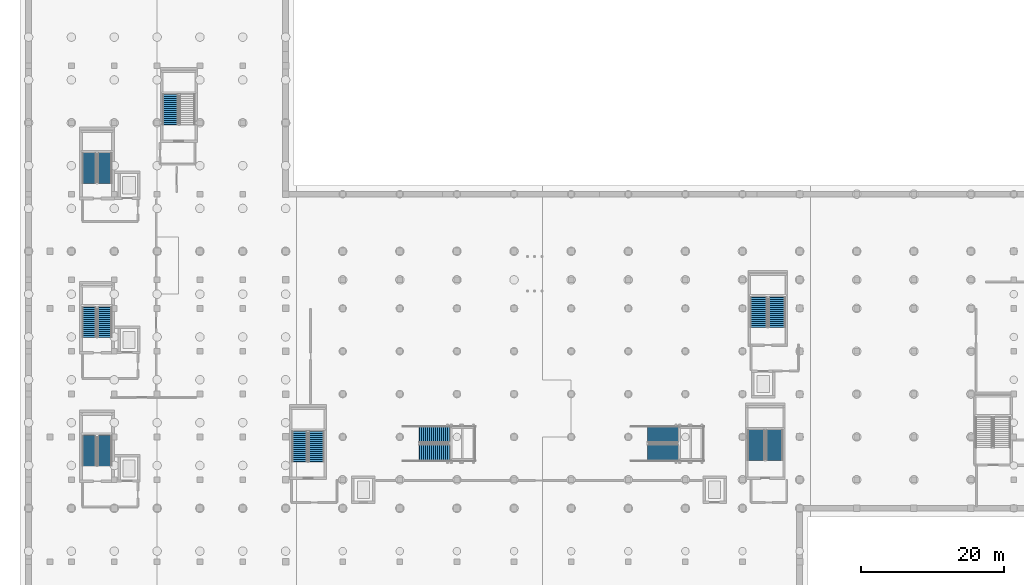
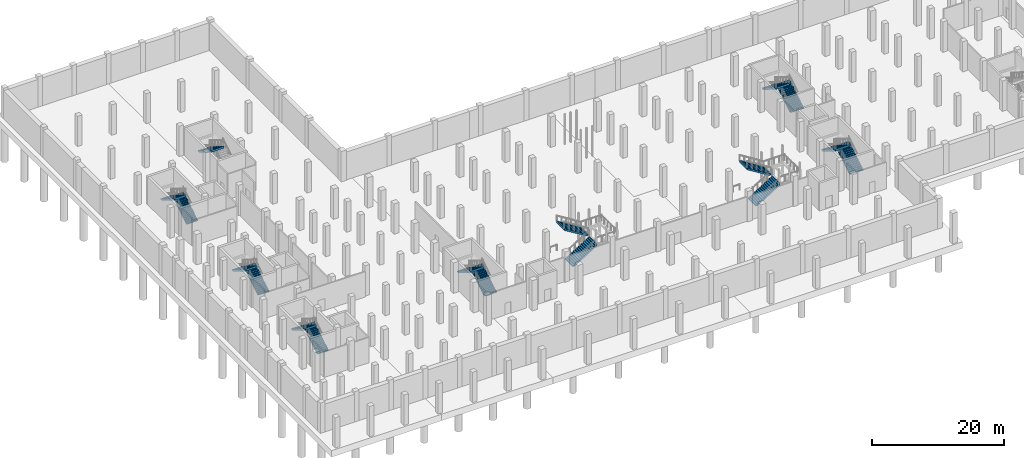
# One storey, part 18 of 26: 17 stair flights, 9 elements without a shape of their own.
"""IFC4 building model written with IfcOpenShell, lengths in metres."""

from ifc_helpers import new_model, si_unit, direction, frame, origin, place, context, subcontext, project, spatial, polyline, outline, extrude, material, type_object, element, aggregate, save


model = new_model("IFC4")

# Units and contexts
model_context = context("Model", 3, precision=1e-05, world=origin(), true_north=direction((0.0, 1.0)))
body_context = subcontext(model_context, "Body", "Model", "MODEL_VIEW")
ifc_project = project(units=[si_unit("LENGTHUNIT", "METRE"), si_unit("AREAUNIT", "SQUARE_METRE"), si_unit("VOLUMEUNIT", "CUBIC_METRE"), si_unit("PLANEANGLEUNIT", "RADIAN"), si_unit("MASSUNIT", "GRAM", prefix="KILO")], contexts=[model_context])

# Site, building, storey
site_placement = place(None, origin())
site = spatial("IfcSite", under=ifc_project, at=site_placement, CompositionType="ELEMENT")
building_placement = place(site_placement, origin())
building = spatial("IfcBuilding", under=site, at=building_placement, Name="Verrall Gate Interchange", CompositionType="ELEMENT")
storey_placement = place(building_placement, frame((0.0, 0.0, -10.39990234375)))
storey = spatial("IfcBuildingStorey", under=building, at=storey_placement, Name="B2", CompositionType="ELEMENT", Elevation=-10.39990234375)

# Stair, stair flights
ifc_material_1 = material(Name="Concrete CSA A23.1 40 MPa (Class N)", Category="concrete")
stair_type_1 = type_object("IfcStairType", Name="ST-T01 Straight-Flight Return Exit Stair W1950 H5600", PredefinedType="STRAIGHT_RUN_STAIR", material=ifc_material_1)
stair_1_placement = place(storey_placement, origin())
stair_1 = element("IfcStair", 1, at=stair_1_placement, inside=storey, type_object=stair_type_1, Name="B2 ST-01", PredefinedType="STRAIGHT_RUN_STAIR")
ifc_material_2 = material(Name="Concrete CSA A23.1 40 MPa (Class N)", Category="concrete")
stair_flight_type_1 = type_object("IfcStairFlightType", Name="SF-T01 Concrete Stair Flight W1950 R175 N32", PredefinedType="STRAIGHT", material=ifc_material_2)
stair_flight_1_placement = place(storey_placement, frame((10.675048828125, 17.949951171875, 0.0), z_axis=(0.0, 0.0, 1.0), x_axis=(0.0, 1.0, 0.0)))
stair_flight_1 = element("IfcStairFlight", 2, at=stair_flight_1_placement, type_object=stair_flight_type_1, Name="ST-01 flight 1", NumberOfRisers=16, NumberOfTreads=15, PredefinedType="STRAIGHT", RiserHeight=0.175, TreadLength=0.28, context=body_context, shape_type="SweptSolid", body=[
    extrude(outline(polyline([(-0.034912109375, -0.02001953125), (-0.034912109375, 0.0), (0.0, 0.0), (0.0, 0.175048828125), (0.280029296875, 0.175048828125), (0.280029296875, 0.35009765625), (0.56005859375, 0.35009765625), (0.56005859375, 0.52490234375), (0.840087890625, 0.52490234375), (0.840087890625, 0.699951171875), (1.1201171875, 0.699951171875), (1.1201171875, 0.875), (1.39990234375, 0.875), (1.39990234375, 1.050048828125), (1.679931640625, 1.050048828125), (1.679931640625, 1.22509765625), (1.9599609375, 1.22509765625), (1.9599609375, 1.39990234375), (2.239990234375, 1.39990234375), (2.239990234375, 1.574951171875), (2.52001953125, 1.574951171875), (2.52001953125, 1.75), (2.800048828125, 1.75), (2.800048828125, 1.925048828125), (3.080078125, 1.925048828125), (3.080078125, 2.10009765625), (3.360107421875, 2.10009765625), (3.360107421875, 2.27490234375), (3.639892578125, 2.27490234375), (3.639892578125, 2.449951171875), (3.919921875, 2.449951171875), (3.919921875, 2.625), (4.199951171875, 2.625), (4.199951171875, 2.800048828125), (4.235107421875, 2.800048828125), (4.235107421875, 2.38916015625), (0.34521484375, -0.02001953125), (-0.034912109375, -0.02001953125)])), frame((0.0, 0.97509765625, 0.0), z_axis=(0.0, -1.0, 0.0), x_axis=(1.0, 0.0, 0.0)), (0.0, 0.0, 1.0), 1.949951171875),
])
stair_flight_2_placement = place(storey_placement, frame((8.52490234375, 22.14990234375, 2.7998046875), z_axis=(0.0, 0.0, 1.0), x_axis=(0.0, -1.0, 0.0)))
stair_flight_2 = element("IfcStairFlight", 3, at=stair_flight_2_placement, type_object=stair_flight_type_1, Name="ST-01 flight 2", NumberOfRisers=16, NumberOfTreads=15, PredefinedType="STRAIGHT", RiserHeight=0.175, TreadLength=0.28, context=body_context, shape_type="SweptSolid", body=[
    extrude(outline(polyline([(-0.034912109375, -0.02001953125), (-0.034912109375, 0.0), (0.0, 0.0), (0.0, 0.175048828125), (0.280029296875, 0.175048828125), (0.280029296875, 0.35009765625), (0.56005859375, 0.35009765625), (0.56005859375, 0.52490234375), (0.840087890625, 0.52490234375), (0.840087890625, 0.699951171875), (1.1201171875, 0.699951171875), (1.1201171875, 0.875), (1.39990234375, 0.875), (1.39990234375, 1.050048828125), (1.679931640625, 1.050048828125), (1.679931640625, 1.22509765625), (1.9599609375, 1.22509765625), (1.9599609375, 1.39990234375), (2.239990234375, 1.39990234375), (2.239990234375, 1.574951171875), (2.52001953125, 1.574951171875), (2.52001953125, 1.75), (2.800048828125, 1.75), (2.800048828125, 1.925048828125), (3.080078125, 1.925048828125), (3.080078125, 2.10009765625), (3.360107421875, 2.10009765625), (3.360107421875, 2.27490234375), (3.639892578125, 2.27490234375), (3.639892578125, 2.449951171875), (3.919921875, 2.449951171875), (3.919921875, 2.625), (4.199951171875, 2.625), (4.199951171875, 2.800048828125), (4.235107421875, 2.800048828125), (4.235107421875, 2.38916015625), (0.34521484375, -0.02001953125), (-0.034912109375, -0.02001953125)])), frame((0.0, 0.97509765625, 0.0), z_axis=(0.0, -1.0, 0.0), x_axis=(1.0, 0.0, 0.0)), (0.0, 0.0, 1.0), 1.949951171875),
])
aggregate(stair_1, [stair_flight_1, stair_flight_2])

stair_2_placement = place(storey_placement, origin())
stair_2 = element("IfcStair", 4, at=stair_2_placement, inside=storey, type_object=stair_type_1, Name="B2 ST-02", PredefinedType="STRAIGHT_RUN_STAIR")
stair_flight_3_placement = place(storey_placement, frame((10.675048828125, 35.949951171875, 0.0), z_axis=(0.0, 0.0, 1.0), x_axis=(0.0, 1.0, 0.0)))
stair_flight_3 = element("IfcStairFlight", 5, at=stair_flight_3_placement, type_object=stair_flight_type_1, Name="ST-02 flight 1", NumberOfRisers=16, NumberOfTreads=15, PredefinedType="STRAIGHT", RiserHeight=0.175, TreadLength=0.28, context=body_context, shape_type="SweptSolid", body=[
    extrude(outline(polyline([(-0.034912109375, -0.02001953125), (-0.034912109375, 0.0), (0.0, 0.0), (0.0, 0.175048828125), (0.280029296875, 0.175048828125), (0.280029296875, 0.35009765625), (0.56005859375, 0.35009765625), (0.56005859375, 0.52490234375), (0.840087890625, 0.52490234375), (0.840087890625, 0.699951171875), (1.1201171875, 0.699951171875), (1.1201171875, 0.875), (1.39990234375, 0.875), (1.39990234375, 1.050048828125), (1.679931640625, 1.050048828125), (1.679931640625, 1.22509765625), (1.9599609375, 1.22509765625), (1.9599609375, 1.39990234375), (2.239990234375, 1.39990234375), (2.239990234375, 1.574951171875), (2.52001953125, 1.574951171875), (2.52001953125, 1.75), (2.800048828125, 1.75), (2.800048828125, 1.925048828125), (3.080078125, 1.925048828125), (3.080078125, 2.10009765625), (3.360107421875, 2.10009765625), (3.360107421875, 2.27490234375), (3.639892578125, 2.27490234375), (3.639892578125, 2.449951171875), (3.919921875, 2.449951171875), (3.919921875, 2.625), (4.199951171875, 2.625), (4.199951171875, 2.800048828125), (4.235107421875, 2.800048828125), (4.235107421875, 2.38916015625), (0.34521484375, -0.02001953125), (-0.034912109375, -0.02001953125)])), frame((0.0, 0.97509765625, 0.0), z_axis=(0.0, -1.0, 0.0), x_axis=(1.0, 0.0, 0.0)), (0.0, 0.0, 1.0), 1.949951171875),
])
stair_flight_4_placement = place(storey_placement, frame((8.52490234375, 40.14990234375, 2.7998046875), z_axis=(0.0, 0.0, 1.0), x_axis=(0.0, -1.0, 0.0)))
stair_flight_4 = element("IfcStairFlight", 6, at=stair_flight_4_placement, type_object=stair_flight_type_1, Name="ST-02 flight 2", NumberOfRisers=16, NumberOfTreads=15, PredefinedType="STRAIGHT", RiserHeight=0.175, TreadLength=0.28, context=body_context, shape_type="SweptSolid", body=[
    extrude(outline(polyline([(-0.034912109375, -0.02001953125), (-0.034912109375, 0.0), (0.0, 0.0), (0.0, 0.175048828125), (0.280029296875, 0.175048828125), (0.280029296875, 0.35009765625), (0.56005859375, 0.35009765625), (0.56005859375, 0.52490234375), (0.840087890625, 0.52490234375), (0.840087890625, 0.699951171875), (1.1201171875, 0.699951171875), (1.1201171875, 0.875), (1.39990234375, 0.875), (1.39990234375, 1.050048828125), (1.679931640625, 1.050048828125), (1.679931640625, 1.22509765625), (1.9599609375, 1.22509765625), (1.9599609375, 1.39990234375), (2.239990234375, 1.39990234375), (2.239990234375, 1.574951171875), (2.52001953125, 1.574951171875), (2.52001953125, 1.75), (2.800048828125, 1.75), (2.800048828125, 1.925048828125), (3.080078125, 1.925048828125), (3.080078125, 2.10009765625), (3.360107421875, 2.10009765625), (3.360107421875, 2.27490234375), (3.639892578125, 2.27490234375), (3.639892578125, 2.449951171875), (3.919921875, 2.449951171875), (3.919921875, 2.625), (4.199951171875, 2.625), (4.199951171875, 2.800048828125), (4.235107421875, 2.800048828125), (4.235107421875, 2.38916015625), (0.34521484375, -0.02001953125), (-0.034912109375, -0.02001953125)])), frame((0.0, 0.97509765625, 0.0), z_axis=(0.0, -1.0, 0.0), x_axis=(1.0, 0.0, 0.0)), (0.0, 0.0, 1.0), 1.949951171875),
])
aggregate(stair_2, [stair_flight_3, stair_flight_4])

stair_3_placement = place(storey_placement, origin())
stair_3 = element("IfcStair", 7, at=stair_3_placement, inside=storey, type_object=stair_type_1, Name="B2 ST-03", PredefinedType="STRAIGHT_RUN_STAIR")
stair_flight_5_placement = place(storey_placement, frame((10.675048828125, 57.550048828125, 0.0), z_axis=(0.0, 0.0, 1.0), x_axis=(0.0, 1.0, 0.0)))
stair_flight_5 = element("IfcStairFlight", 8, at=stair_flight_5_placement, type_object=stair_flight_type_1, Name="ST-03 flight 1", NumberOfRisers=16, NumberOfTreads=15, PredefinedType="STRAIGHT", RiserHeight=0.175, TreadLength=0.28, context=body_context, shape_type="SweptSolid", body=[
    extrude(outline(polyline([(-0.034912109375, -0.02001953125), (-0.034912109375, 0.0), (0.0, 0.0), (0.0, 0.175048828125), (0.280029296875, 0.175048828125), (0.280029296875, 0.35009765625), (0.56005859375, 0.35009765625), (0.56005859375, 0.52490234375), (0.840087890625, 0.52490234375), (0.840087890625, 0.699951171875), (1.1201171875, 0.699951171875), (1.1201171875, 0.875), (1.39990234375, 0.875), (1.39990234375, 1.050048828125), (1.679931640625, 1.050048828125), (1.679931640625, 1.22509765625), (1.9599609375, 1.22509765625), (1.9599609375, 1.39990234375), (2.239990234375, 1.39990234375), (2.239990234375, 1.574951171875), (2.52001953125, 1.574951171875), (2.52001953125, 1.75), (2.800048828125, 1.75), (2.800048828125, 1.925048828125), (3.080078125, 1.925048828125), (3.080078125, 2.10009765625), (3.360107421875, 2.10009765625), (3.360107421875, 2.27490234375), (3.639892578125, 2.27490234375), (3.639892578125, 2.449951171875), (3.919921875, 2.449951171875), (3.919921875, 2.625), (4.199951171875, 2.625), (4.199951171875, 2.800048828125), (4.235107421875, 2.800048828125), (4.235107421875, 2.38916015625), (0.34521484375, -0.02001953125), (-0.034912109375, -0.02001953125)])), frame((0.0, 0.97509765625, 0.0), z_axis=(0.0, -1.0, 0.0), x_axis=(1.0, 0.0, 0.0)), (0.0, 0.0, 1.0), 1.949951171875),
])
stair_flight_6_placement = place(storey_placement, frame((8.52490234375, 61.75, 2.7998046875), z_axis=(0.0, 0.0, 1.0), x_axis=(0.0, -1.0, 0.0)))
stair_flight_6 = element("IfcStairFlight", 9, at=stair_flight_6_placement, type_object=stair_flight_type_1, Name="ST-03 flight 2", NumberOfRisers=16, NumberOfTreads=15, PredefinedType="STRAIGHT", RiserHeight=0.175, TreadLength=0.28, context=body_context, shape_type="SweptSolid", body=[
    extrude(outline(polyline([(-0.034912109375, -0.02001953125), (-0.034912109375, 0.0), (0.0, 0.0), (0.0, 0.175048828125), (0.280029296875, 0.175048828125), (0.280029296875, 0.35009765625), (0.56005859375, 0.35009765625), (0.56005859375, 0.52490234375), (0.840087890625, 0.52490234375), (0.840087890625, 0.699951171875), (1.1201171875, 0.699951171875), (1.1201171875, 0.875), (1.39990234375, 0.875), (1.39990234375, 1.050048828125), (1.679931640625, 1.050048828125), (1.679931640625, 1.22509765625), (1.9599609375, 1.22509765625), (1.9599609375, 1.39990234375), (2.239990234375, 1.39990234375), (2.239990234375, 1.574951171875), (2.52001953125, 1.574951171875), (2.52001953125, 1.75), (2.800048828125, 1.75), (2.800048828125, 1.925048828125), (3.080078125, 1.925048828125), (3.080078125, 2.10009765625), (3.360107421875, 2.10009765625), (3.360107421875, 2.27490234375), (3.639892578125, 2.27490234375), (3.639892578125, 2.449951171875), (3.919921875, 2.449951171875), (3.919921875, 2.625), (4.199951171875, 2.625), (4.199951171875, 2.800048828125), (4.235107421875, 2.800048828125), (4.235107421875, 2.38916015625), (0.34521484375, -0.02001953125), (-0.034912109375, -0.02001953125)])), frame((0.0, 0.97509765625, 0.0), z_axis=(0.0, -1.0, 0.0), x_axis=(1.0, 0.0, 0.0)), (0.0, 0.0, 1.0), 1.949951171875),
])
aggregate(stair_3, [stair_flight_5, stair_flight_6])

# Stair, stair flight
ifc_material_3 = material(Name="Concrete CSA A23.1 40 MPa (Class N)", Category="concrete")
stair_type_2 = type_object("IfcStairType", Name="ST-T07 Straight-Flight Return Exit Stair W2150 H5600", PredefinedType="STRAIGHT_RUN_STAIR", material=ifc_material_3)
stair_4_placement = place(storey_placement, origin())
stair_4 = element("IfcStair", 10, at=stair_4_placement, inside=storey, type_object=stair_type_2, Name="B2 ST-04", PredefinedType="STRAIGHT_RUN_STAIR")
ifc_material_4 = material(Name="Concrete CSA A23.1 40 MPa (Class N)", Category="concrete")
stair_flight_type_2 = type_object("IfcStairFlightType", Name="SF-T07 Concrete Stair Flight W2150 R175 N32", PredefinedType="STRAIGHT", material=ifc_material_4)
stair_flight_7_placement = place(storey_placement, frame((19.875, 69.949951171875, 2.7998046875), z_axis=(0.0, 0.0, 1.0), x_axis=(0.0, -1.0, 0.0)))
stair_flight_7 = element("IfcStairFlight", 11, at=stair_flight_7_placement, type_object=stair_flight_type_2, Name="ST-04 flight 2", NumberOfRisers=16, NumberOfTreads=15, PredefinedType="STRAIGHT", RiserHeight=0.175, TreadLength=0.28, context=body_context, shape_type="SweptSolid", body=[
    extrude(outline(polyline([(-0.034912109375, -0.02001953125), (-0.034912109375, 0.0), (0.0, 0.0), (0.0, 0.175048828125), (0.280029296875, 0.175048828125), (0.280029296875, 0.35009765625), (0.56005859375, 0.35009765625), (0.56005859375, 0.52490234375), (0.840087890625, 0.52490234375), (0.840087890625, 0.699951171875), (1.1201171875, 0.699951171875), (1.1201171875, 0.875), (1.39990234375, 0.875), (1.39990234375, 1.050048828125), (1.679931640625, 1.050048828125), (1.679931640625, 1.22509765625), (1.9599609375, 1.22509765625), (1.9599609375, 1.39990234375), (2.239990234375, 1.39990234375), (2.239990234375, 1.574951171875), (2.52001953125, 1.574951171875), (2.52001953125, 1.75), (2.800048828125, 1.75), (2.800048828125, 1.925048828125), (3.080078125, 1.925048828125), (3.080078125, 2.10009765625), (3.360107421875, 2.10009765625), (3.360107421875, 2.27490234375), (3.639892578125, 2.27490234375), (3.639892578125, 2.449951171875), (3.919921875, 2.449951171875), (3.919921875, 2.625), (4.199951171875, 2.625), (4.199951171875, 2.800048828125), (4.235107421875, 2.800048828125), (4.235107421875, 2.38916015625), (0.34521484375, -0.02001953125), (-0.034912109375, -0.02001953125)])), frame((0.0, 1.074951171875, 0.0), z_axis=(0.0, -1.0, 0.0), x_axis=(1.0, 0.0, 0.0)), (0.0, 0.0, 1.0), 2.14990234375),
])
aggregate(stair_4, [stair_flight_7])

# Stair, stair flights
stair_5_placement = place(storey_placement, origin())
stair_5 = element("IfcStair", 12, at=stair_5_placement, inside=storey, type_object=stair_type_2, Name="B2 ST-05", PredefinedType="STRAIGHT_RUN_STAIR")
stair_flight_8_placement = place(storey_placement, frame((40.324951171875, 18.550048828125, 0.0), z_axis=(0.0, 0.0, 1.0), x_axis=(0.0, 1.0, 0.0)))
stair_flight_8 = element("IfcStairFlight", 13, at=stair_flight_8_placement, type_object=stair_flight_type_2, Name="ST-05 flight 1", NumberOfRisers=16, NumberOfTreads=15, PredefinedType="STRAIGHT", RiserHeight=0.175, TreadLength=0.28, context=body_context, shape_type="SweptSolid", body=[
    extrude(outline(polyline([(-0.034912109375, -0.02001953125), (-0.034912109375, 0.0), (0.0, 0.0), (0.0, 0.175048828125), (0.280029296875, 0.175048828125), (0.280029296875, 0.35009765625), (0.56005859375, 0.35009765625), (0.56005859375, 0.52490234375), (0.840087890625, 0.52490234375), (0.840087890625, 0.699951171875), (1.1201171875, 0.699951171875), (1.1201171875, 0.875), (1.39990234375, 0.875), (1.39990234375, 1.050048828125), (1.679931640625, 1.050048828125), (1.679931640625, 1.22509765625), (1.9599609375, 1.22509765625), (1.9599609375, 1.39990234375), (2.239990234375, 1.39990234375), (2.239990234375, 1.574951171875), (2.52001953125, 1.574951171875), (2.52001953125, 1.75), (2.800048828125, 1.75), (2.800048828125, 1.925048828125), (3.080078125, 1.925048828125), (3.080078125, 2.10009765625), (3.360107421875, 2.10009765625), (3.360107421875, 2.27490234375), (3.639892578125, 2.27490234375), (3.639892578125, 2.449951171875), (3.919921875, 2.449951171875), (3.919921875, 2.625), (4.199951171875, 2.625), (4.199951171875, 2.800048828125), (4.235107421875, 2.800048828125), (4.235107421875, 2.38916015625), (0.34521484375, -0.02001953125), (-0.034912109375, -0.02001953125)])), frame((0.0, 1.074951171875, 0.0), z_axis=(0.0, -1.0, 0.0), x_axis=(1.0, 0.0, 0.0)), (0.0, 0.0, 1.0), 2.14990234375),
])
stair_flight_9_placement = place(storey_placement, frame((37.97509765625, 22.75, 2.7998046875), z_axis=(0.0, 0.0, 1.0), x_axis=(0.0, -1.0, 0.0)))
stair_flight_9 = element("IfcStairFlight", 14, at=stair_flight_9_placement, type_object=stair_flight_type_2, Name="ST-05 flight 2", NumberOfRisers=16, NumberOfTreads=15, PredefinedType="STRAIGHT", RiserHeight=0.175, TreadLength=0.28, context=body_context, shape_type="SweptSolid", body=[
    extrude(outline(polyline([(-0.034912109375, -0.02001953125), (-0.034912109375, 0.0), (0.0, 0.0), (0.0, 0.175048828125), (0.280029296875, 0.175048828125), (0.280029296875, 0.35009765625), (0.56005859375, 0.35009765625), (0.56005859375, 0.52490234375), (0.840087890625, 0.52490234375), (0.840087890625, 0.699951171875), (1.1201171875, 0.699951171875), (1.1201171875, 0.875), (1.39990234375, 0.875), (1.39990234375, 1.050048828125), (1.679931640625, 1.050048828125), (1.679931640625, 1.22509765625), (1.9599609375, 1.22509765625), (1.9599609375, 1.39990234375), (2.239990234375, 1.39990234375), (2.239990234375, 1.574951171875), (2.52001953125, 1.574951171875), (2.52001953125, 1.75), (2.800048828125, 1.75), (2.800048828125, 1.925048828125), (3.080078125, 1.925048828125), (3.080078125, 2.10009765625), (3.360107421875, 2.10009765625), (3.360107421875, 2.27490234375), (3.639892578125, 2.27490234375), (3.639892578125, 2.449951171875), (3.919921875, 2.449951171875), (3.919921875, 2.625), (4.199951171875, 2.625), (4.199951171875, 2.800048828125), (4.235107421875, 2.800048828125), (4.235107421875, 2.38916015625), (0.34521484375, -0.02001953125), (-0.034912109375, -0.02001953125)])), frame((0.0, 1.074951171875, 0.0), z_axis=(0.0, -1.0, 0.0), x_axis=(1.0, 0.0, 0.0)), (0.0, 0.0, 1.0), 2.14990234375),
])
aggregate(stair_5, [stair_flight_8, stair_flight_9])

ifc_material_5 = material(Name="Concrete CSA A23.1 40 MPa (Class N)", Category="concrete")
stair_type_3 = type_object("IfcStairType", Name="ST-T11 Straight-Flight Return Exit Stair W2350 H5600", PredefinedType="STRAIGHT_RUN_STAIR", material=ifc_material_5)
stair_6_placement = place(storey_placement, origin())
stair_6 = element("IfcStair", 15, at=stair_6_placement, inside=storey, type_object=stair_type_3, Name="B2 ST-06", PredefinedType="STRAIGHT_RUN_STAIR")
ifc_material_6 = material(Name="Concrete CSA A23.1 40 MPa (Class N)", Category="concrete")
stair_flight_type_3 = type_object("IfcStairFlightType", Name="SF-T11 Concrete Stair Flight W2350 R175 N32", PredefinedType="STRAIGHT", material=ifc_material_6)
stair_flight_10_placement = place(storey_placement, frame((104.465087890625, 18.75, 0.0), z_axis=(0.0, 0.0, 1.0), x_axis=(0.0, 1.0, 0.0)))
stair_flight_10 = element("IfcStairFlight", 16, at=stair_flight_10_placement, type_object=stair_flight_type_3, Name="ST-06 flight 1", NumberOfRisers=16, NumberOfTreads=15, PredefinedType="STRAIGHT", RiserHeight=0.175, TreadLength=0.28, context=body_context, shape_type="SweptSolid", body=[
    extrude(outline(polyline([(-0.034912109375, -0.02001953125), (-0.034912109375, 0.0), (0.0, 0.0), (0.0, 0.175048828125), (0.280029296875, 0.175048828125), (0.280029296875, 0.35009765625), (0.56005859375, 0.35009765625), (0.56005859375, 0.52490234375), (0.840087890625, 0.52490234375), (0.840087890625, 0.699951171875), (1.1201171875, 0.699951171875), (1.1201171875, 0.875), (1.39990234375, 0.875), (1.39990234375, 1.050048828125), (1.679931640625, 1.050048828125), (1.679931640625, 1.22509765625), (1.9599609375, 1.22509765625), (1.9599609375, 1.39990234375), (2.239990234375, 1.39990234375), (2.239990234375, 1.574951171875), (2.52001953125, 1.574951171875), (2.52001953125, 1.75), (2.800048828125, 1.75), (2.800048828125, 1.925048828125), (3.080078125, 1.925048828125), (3.080078125, 2.10009765625), (3.360107421875, 2.10009765625), (3.360107421875, 2.27490234375), (3.639892578125, 2.27490234375), (3.639892578125, 2.449951171875), (3.919921875, 2.449951171875), (3.919921875, 2.625), (4.199951171875, 2.625), (4.199951171875, 2.800048828125), (4.235107421875, 2.800048828125), (4.235107421875, 2.38916015625), (0.34521484375, -0.02001953125), (-0.034912109375, -0.02001953125)])), frame((0.0, 1.175048828125, 0.0), z_axis=(0.0, -1.0, 0.0), x_axis=(1.0, 0.0, 0.0)), (0.0, 0.0, 1.0), 2.35009765625),
])
stair_flight_11_placement = place(storey_placement, frame((101.9150390625, 22.949951171875, 2.7998046875), z_axis=(0.0, 0.0, 1.0), x_axis=(0.0, -1.0, 0.0)))
stair_flight_11 = element("IfcStairFlight", 17, at=stair_flight_11_placement, type_object=stair_flight_type_3, Name="ST-06 flight 2", NumberOfRisers=16, NumberOfTreads=15, PredefinedType="STRAIGHT", RiserHeight=0.175, TreadLength=0.28, context=body_context, shape_type="SweptSolid", body=[
    extrude(outline(polyline([(-0.034912109375, -0.02001953125), (-0.034912109375, 0.0), (0.0, 0.0), (0.0, 0.175048828125), (0.280029296875, 0.175048828125), (0.280029296875, 0.35009765625), (0.56005859375, 0.35009765625), (0.56005859375, 0.52490234375), (0.840087890625, 0.52490234375), (0.840087890625, 0.699951171875), (1.1201171875, 0.699951171875), (1.1201171875, 0.875), (1.39990234375, 0.875), (1.39990234375, 1.050048828125), (1.679931640625, 1.050048828125), (1.679931640625, 1.22509765625), (1.9599609375, 1.22509765625), (1.9599609375, 1.39990234375), (2.239990234375, 1.39990234375), (2.239990234375, 1.574951171875), (2.52001953125, 1.574951171875), (2.52001953125, 1.75), (2.800048828125, 1.75), (2.800048828125, 1.925048828125), (3.080078125, 1.925048828125), (3.080078125, 2.10009765625), (3.360107421875, 2.10009765625), (3.360107421875, 2.27490234375), (3.639892578125, 2.27490234375), (3.639892578125, 2.449951171875), (3.919921875, 2.449951171875), (3.919921875, 2.625), (4.199951171875, 2.625), (4.199951171875, 2.800048828125), (4.235107421875, 2.800048828125), (4.235107421875, 2.38916015625), (0.34521484375, -0.02001953125), (-0.034912109375, -0.02001953125)])), frame((0.0, 1.175048828125, 0.0), z_axis=(0.0, -1.0, 0.0), x_axis=(1.0, 0.0, 0.0)), (0.0, 0.0, 1.0), 2.35009765625),
])
aggregate(stair_6, [stair_flight_10, stair_flight_11])

stair_7_placement = place(storey_placement, origin())
stair_7 = element("IfcStair", 18, at=stair_7_placement, inside=storey, type_object=stair_type_3, Name="B2 ST-07", PredefinedType="STRAIGHT_RUN_STAIR")
stair_flight_12_placement = place(storey_placement, frame((104.824951171875, 37.35009765625, 0.0), z_axis=(0.0, 0.0, 1.0), x_axis=(0.0, 1.0, 0.0)))
stair_flight_12 = element("IfcStairFlight", 19, at=stair_flight_12_placement, type_object=stair_flight_type_3, Name="ST-07 flight 1", NumberOfRisers=16, NumberOfTreads=15, PredefinedType="STRAIGHT", RiserHeight=0.175, TreadLength=0.28, context=body_context, shape_type="SweptSolid", body=[
    extrude(outline(polyline([(-0.034912109375, -0.02001953125), (-0.034912109375, 0.0), (0.0, 0.0), (0.0, 0.175048828125), (0.280029296875, 0.175048828125), (0.280029296875, 0.35009765625), (0.56005859375, 0.35009765625), (0.56005859375, 0.52490234375), (0.840087890625, 0.52490234375), (0.840087890625, 0.699951171875), (1.1201171875, 0.699951171875), (1.1201171875, 0.875), (1.39990234375, 0.875), (1.39990234375, 1.050048828125), (1.679931640625, 1.050048828125), (1.679931640625, 1.22509765625), (1.9599609375, 1.22509765625), (1.9599609375, 1.39990234375), (2.239990234375, 1.39990234375), (2.239990234375, 1.574951171875), (2.52001953125, 1.574951171875), (2.52001953125, 1.75), (2.800048828125, 1.75), (2.800048828125, 1.925048828125), (3.080078125, 1.925048828125), (3.080078125, 2.10009765625), (3.360107421875, 2.10009765625), (3.360107421875, 2.27490234375), (3.639892578125, 2.27490234375), (3.639892578125, 2.449951171875), (3.919921875, 2.449951171875), (3.919921875, 2.625), (4.199951171875, 2.625), (4.199951171875, 2.800048828125), (4.235107421875, 2.800048828125), (4.235107421875, 2.38916015625), (0.34521484375, -0.02001953125), (-0.034912109375, -0.02001953125)])), frame((0.0, 1.175048828125, 0.0), z_axis=(0.0, -1.0, 0.0), x_axis=(1.0, 0.0, 0.0)), (0.0, 0.0, 1.0), 2.35009765625),
])
stair_flight_13_placement = place(storey_placement, frame((102.27490234375, 41.550048828125, 2.7998046875), z_axis=(0.0, 0.0, 1.0), x_axis=(0.0, -1.0, 0.0)))
stair_flight_13 = element("IfcStairFlight", 20, at=stair_flight_13_placement, type_object=stair_flight_type_3, Name="ST-07 flight 2", NumberOfRisers=16, NumberOfTreads=15, PredefinedType="STRAIGHT", RiserHeight=0.175, TreadLength=0.28, context=body_context, shape_type="SweptSolid", body=[
    extrude(outline(polyline([(-0.034912109375, -0.02001953125), (-0.034912109375, 0.0), (0.0, 0.0), (0.0, 0.175048828125), (0.280029296875, 0.175048828125), (0.280029296875, 0.35009765625), (0.56005859375, 0.35009765625), (0.56005859375, 0.52490234375), (0.840087890625, 0.52490234375), (0.840087890625, 0.699951171875), (1.1201171875, 0.699951171875), (1.1201171875, 0.875), (1.39990234375, 0.875), (1.39990234375, 1.050048828125), (1.679931640625, 1.050048828125), (1.679931640625, 1.22509765625), (1.9599609375, 1.22509765625), (1.9599609375, 1.39990234375), (2.239990234375, 1.39990234375), (2.239990234375, 1.574951171875), (2.52001953125, 1.574951171875), (2.52001953125, 1.75), (2.800048828125, 1.75), (2.800048828125, 1.925048828125), (3.080078125, 1.925048828125), (3.080078125, 2.10009765625), (3.360107421875, 2.10009765625), (3.360107421875, 2.27490234375), (3.639892578125, 2.27490234375), (3.639892578125, 2.449951171875), (3.919921875, 2.449951171875), (3.919921875, 2.625), (4.199951171875, 2.625), (4.199951171875, 2.800048828125), (4.235107421875, 2.800048828125), (4.235107421875, 2.38916015625), (0.34521484375, -0.02001953125), (-0.034912109375, -0.02001953125)])), frame((0.0, 1.175048828125, 0.0), z_axis=(0.0, -1.0, 0.0), x_axis=(1.0, 0.0, 0.0)), (0.0, 0.0, 1.0), 2.35009765625),
])
aggregate(stair_7, [stair_flight_12, stair_flight_13])

stair_8_placement = place(storey_placement, origin())
stair_8 = element("IfcStair", 21, at=stair_8_placement, inside=storey, type_object=stair_type_3, Name="B2 ST-10", PredefinedType="STRAIGHT_RUN_STAIR")
stair_flight_14_placement = place(storey_placement, frame((54.75, 19.77490234375, 0.0), z_axis=(0.0, 0.0, 1.0), x_axis=(1.0, 0.0, 0.0)))
stair_flight_14 = element("IfcStairFlight", 22, at=stair_flight_14_placement, type_object=stair_flight_type_3, Name="ST-10 flight 1", NumberOfRisers=16, NumberOfTreads=15, PredefinedType="STRAIGHT", RiserHeight=0.175, TreadLength=0.28, context=body_context, shape_type="SweptSolid", body=[
    extrude(outline(polyline([(-0.034912109375, -0.02001953125), (-0.034912109375, 0.0), (0.0, 0.0), (0.0, 0.175048828125), (0.280029296875, 0.175048828125), (0.280029296875, 0.35009765625), (0.56005859375, 0.35009765625), (0.56005859375, 0.52490234375), (0.840087890625, 0.52490234375), (0.840087890625, 0.699951171875), (1.1201171875, 0.699951171875), (1.1201171875, 0.875), (1.39990234375, 0.875), (1.39990234375, 1.050048828125), (1.679931640625, 1.050048828125), (1.679931640625, 1.22509765625), (1.9599609375, 1.22509765625), (1.9599609375, 1.39990234375), (2.239990234375, 1.39990234375), (2.239990234375, 1.574951171875), (2.52001953125, 1.574951171875), (2.52001953125, 1.75), (2.800048828125, 1.75), (2.800048828125, 1.925048828125), (3.080078125, 1.925048828125), (3.080078125, 2.10009765625), (3.360107421875, 2.10009765625), (3.360107421875, 2.27490234375), (3.639892578125, 2.27490234375), (3.639892578125, 2.449951171875), (3.919921875, 2.449951171875), (3.919921875, 2.625), (4.199951171875, 2.625), (4.199951171875, 2.800048828125), (4.235107421875, 2.800048828125), (4.235107421875, 2.365478515625), (0.383056640625, -0.02001953125), (-0.034912109375, -0.02001953125)])), frame((0.0, 1.175048828125, 0.0), z_axis=(0.0, -1.0, 0.0), x_axis=(1.0, 0.0, 0.0)), (0.0, 0.0, 1.0), 2.35009765625),
])
stair_flight_15_placement = place(storey_placement, frame((58.949951171875, 22.324951171875, 2.7998046875), z_axis=(0.0, 0.0, 1.0), x_axis=(-1.0, 0.0, 0.0)))
stair_flight_15 = element("IfcStairFlight", 23, at=stair_flight_15_placement, type_object=stair_flight_type_3, Name="ST-10 flight 2", NumberOfRisers=16, NumberOfTreads=15, PredefinedType="STRAIGHT", RiserHeight=0.175, TreadLength=0.28, context=body_context, shape_type="SweptSolid", body=[
    extrude(outline(polyline([(-0.034912109375, -0.02001953125), (-0.034912109375, 0.0), (0.0, 0.0), (0.0, 0.175048828125), (0.280029296875, 0.175048828125), (0.280029296875, 0.35009765625), (0.56005859375, 0.35009765625), (0.56005859375, 0.52490234375), (0.840087890625, 0.52490234375), (0.840087890625, 0.699951171875), (1.1201171875, 0.699951171875), (1.1201171875, 0.875), (1.39990234375, 0.875), (1.39990234375, 1.050048828125), (1.679931640625, 1.050048828125), (1.679931640625, 1.22509765625), (1.9599609375, 1.22509765625), (1.9599609375, 1.39990234375), (2.239990234375, 1.39990234375), (2.239990234375, 1.574951171875), (2.52001953125, 1.574951171875), (2.52001953125, 1.75), (2.800048828125, 1.75), (2.800048828125, 1.925048828125), (3.080078125, 1.925048828125), (3.080078125, 2.10009765625), (3.360107421875, 2.10009765625), (3.360107421875, 2.27490234375), (3.639892578125, 2.27490234375), (3.639892578125, 2.449951171875), (3.919921875, 2.449951171875), (3.919921875, 2.625), (4.199951171875, 2.625), (4.199951171875, 2.800048828125), (4.235107421875, 2.800048828125), (4.235107421875, 2.365478515625), (0.383056640625, -0.02001953125), (-0.034912109375, -0.02001953125)])), frame((0.0, 1.175048828125, 0.0), z_axis=(0.0, -1.0, 0.0), x_axis=(1.0, 0.0, 0.0)), (0.0, 0.0, 1.0), 2.35009765625),
])
aggregate(stair_8, [stair_flight_14, stair_flight_15])

stair_9_placement = place(storey_placement, origin())
stair_9 = element("IfcStair", 24, at=stair_9_placement, inside=storey, type_object=stair_type_3, Name="B2 ST-11", PredefinedType="STRAIGHT_RUN_STAIR")
stair_flight_16_placement = place(storey_placement, frame((86.75, 19.77490234375, 0.0), z_axis=(0.0, 0.0, 1.0), x_axis=(1.0, 0.0, 0.0)))
stair_flight_16 = element("IfcStairFlight", 25, at=stair_flight_16_placement, type_object=stair_flight_type_3, Name="ST-11 flight 1", NumberOfRisers=16, NumberOfTreads=15, PredefinedType="STRAIGHT", RiserHeight=0.175, TreadLength=0.28, context=body_context, shape_type="SweptSolid", body=[
    extrude(outline(polyline([(-0.034912109375, -0.02001953125), (-0.034912109375, 0.0), (0.0, 0.0), (0.0, 0.175048828125), (0.280029296875, 0.175048828125), (0.280029296875, 0.35009765625), (0.56005859375, 0.35009765625), (0.56005859375, 0.52490234375), (0.840087890625, 0.52490234375), (0.840087890625, 0.699951171875), (1.1201171875, 0.699951171875), (1.1201171875, 0.875), (1.39990234375, 0.875), (1.39990234375, 1.050048828125), (1.679931640625, 1.050048828125), (1.679931640625, 1.22509765625), (1.9599609375, 1.22509765625), (1.9599609375, 1.39990234375), (2.239990234375, 1.39990234375), (2.239990234375, 1.574951171875), (2.52001953125, 1.574951171875), (2.52001953125, 1.75), (2.800048828125, 1.75), (2.800048828125, 1.925048828125), (3.080078125, 1.925048828125), (3.080078125, 2.10009765625), (3.360107421875, 2.10009765625), (3.360107421875, 2.27490234375), (3.639892578125, 2.27490234375), (3.639892578125, 2.449951171875), (3.919921875, 2.449951171875), (3.919921875, 2.625), (4.199951171875, 2.625), (4.199951171875, 2.800048828125), (4.235107421875, 2.800048828125), (4.235107421875, 2.365478515625), (0.383056640625, -0.02001953125), (-0.034912109375, -0.02001953125)])), frame((0.0, 1.175048828125, 0.0), z_axis=(0.0, -1.0, 0.0), x_axis=(1.0, 0.0, 0.0)), (0.0, 0.0, 1.0), 2.35009765625),
])
stair_flight_17_placement = place(storey_placement, frame((90.949951171875, 22.324951171875, 2.7998046875), z_axis=(0.0, 0.0, 1.0), x_axis=(-1.0, 0.0, 0.0)))
stair_flight_17 = element("IfcStairFlight", 26, at=stair_flight_17_placement, type_object=stair_flight_type_3, Name="ST-11 flight 2", NumberOfRisers=16, NumberOfTreads=15, PredefinedType="STRAIGHT", RiserHeight=0.175, TreadLength=0.28, context=body_context, shape_type="SweptSolid", body=[
    extrude(outline(polyline([(-0.034912109375, -0.02001953125), (-0.034912109375, 0.0), (0.0, 0.0), (0.0, 0.175048828125), (0.280029296875, 0.175048828125), (0.280029296875, 0.35009765625), (0.56005859375, 0.35009765625), (0.56005859375, 0.52490234375), (0.840087890625, 0.52490234375), (0.840087890625, 0.699951171875), (1.1201171875, 0.699951171875), (1.1201171875, 0.875), (1.39990234375, 0.875), (1.39990234375, 1.050048828125), (1.679931640625, 1.050048828125), (1.679931640625, 1.22509765625), (1.9599609375, 1.22509765625), (1.9599609375, 1.39990234375), (2.239990234375, 1.39990234375), (2.239990234375, 1.574951171875), (2.52001953125, 1.574951171875), (2.52001953125, 1.75), (2.800048828125, 1.75), (2.800048828125, 1.925048828125), (3.080078125, 1.925048828125), (3.080078125, 2.10009765625), (3.360107421875, 2.10009765625), (3.360107421875, 2.27490234375), (3.639892578125, 2.27490234375), (3.639892578125, 2.449951171875), (3.919921875, 2.449951171875), (3.919921875, 2.625), (4.199951171875, 2.625), (4.199951171875, 2.800048828125), (4.235107421875, 2.800048828125), (4.235107421875, 2.365478515625), (0.383056640625, -0.02001953125), (-0.034912109375, -0.02001953125)])), frame((0.0, 1.175048828125, 0.0), z_axis=(0.0, -1.0, 0.0), x_axis=(1.0, 0.0, 0.0)), (0.0, 0.0, 1.0), 2.35009765625),
])
aggregate(stair_9, [stair_flight_16, stair_flight_17])

save(model, "model.ifc")
